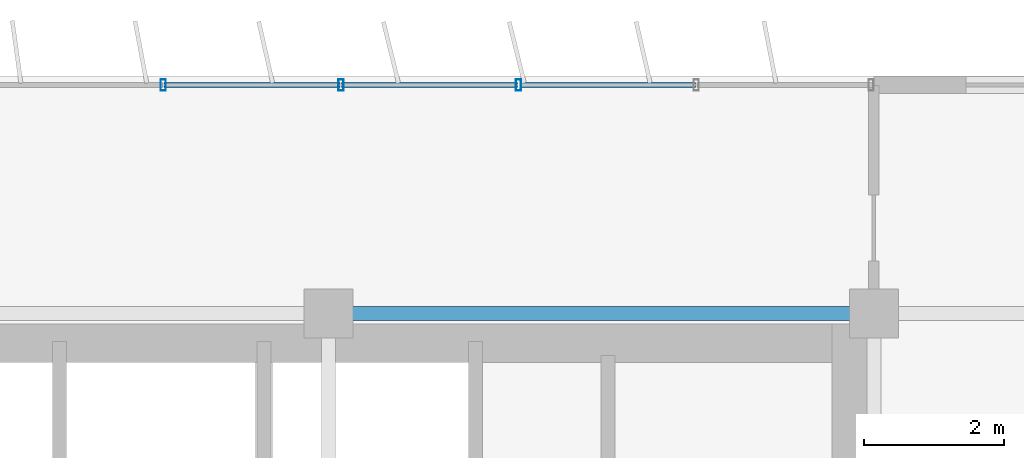
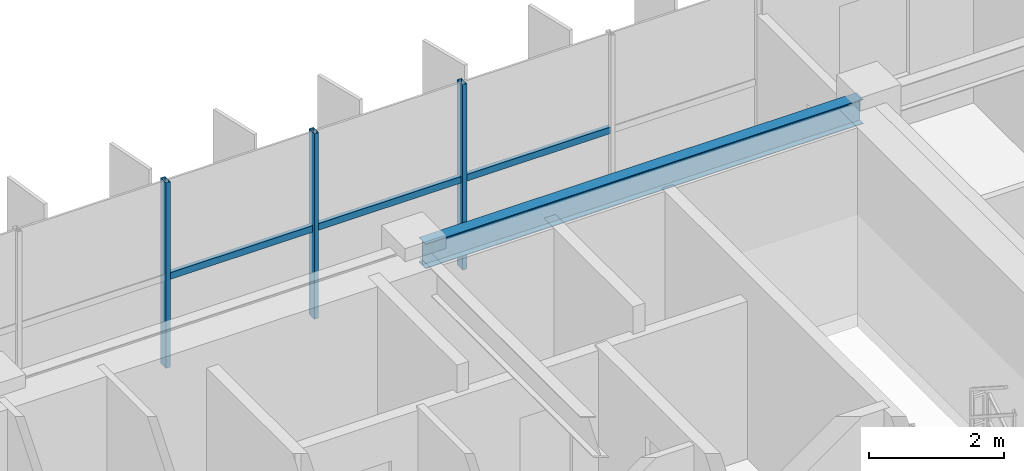
# One storey, part 12 of 23: 6 members, 1 beam, 1 element without a shape of its own.
"""IFC4 building model written with IfcOpenShell, lengths in metres."""

from ifc_helpers import new_model, si_unit, direction, frame, origin, origin_2d, place, context, subcontext, project, spatial, hollow_rectangle, i_section, extrude, source, transform, mapped, material, material_profile, profile_set, type_object, element, aggregate, save


model = new_model("IFC4")

# Units and contexts
model_context = context("Model", 3, precision=1e-05, world=origin(), true_north=direction((0.0, 1.0)))
body_context = subcontext(model_context, "Body", "Model", "MODEL_VIEW")
ifc_project = project(units=[si_unit("LENGTHUNIT", "METRE"), si_unit("AREAUNIT", "SQUARE_METRE"), si_unit("VOLUMEUNIT", "CUBIC_METRE"), si_unit("PLANEANGLEUNIT", "RADIAN"), si_unit("MASSUNIT", "GRAM", prefix="KILO")], contexts=[model_context])

# Site, building, storey
site_placement = place(None, origin())
site = spatial("IfcSite", under=ifc_project, at=site_placement, CompositionType="ELEMENT")
building_placement = place(site_placement, origin())
building = spatial("IfcBuilding", under=site, at=building_placement, Name="Trelvane Seafront Commons", CompositionType="ELEMENT")
storey_placement = place(building_placement, frame((0.0, 0.0, 222.89990234375)))
storey = spatial("IfcBuildingStorey", under=building, at=storey_placement, Name="L58", CompositionType="ELEMENT", Elevation=222.89990234375)

# Beam
ifc_material_1 = material(Name="Steel SM355 (S355)", Category="steel")
ifc_material_profile_1 = material_profile(ifc_material_1, i_section(OverallWidth=0.199951171875, OverallDepth=0.449951171875, WebThickness=0.009033203125, FlangeThickness=0.013916015625, at=origin_2d()), Name="H-450x200x9x14")
ifc_profile_set_1 = profile_set([ifc_material_profile_1], Name="Steel SM355 (S355)")
beam_type = type_object("IfcBeamType", Name="STR-SPD-H450", PredefinedType="SPANDREL", material=ifc_profile_set_1)
shared_shape_1 = source(origin(), body_context, "Body", "SweptSolid", [
    extrude(i_section(OverallWidth=0.199951171875, OverallDepth=0.449951171875, WebThickness=0.009033203125, FlangeThickness=0.013916015625, at=origin_2d()), origin(), (0.0, 0.0, 1.0), 7.5),
])
beam_placement = place(storey_placement, frame((51.14990234375, 45.10009765625, 3.135009765625), z_axis=(1.0, 0.0, 0.0), x_axis=(0.0, 1.0, 0.0)))
element("IfcBeam", 1, at=beam_placement, inside=storey, type_object=beam_type, Name="L58 Primary Girder G-27", PredefinedType="SPANDREL", context=body_context, shape_type="MappedRepresentation", body=[
    mapped(shared_shape_1, transform((0.0, 0.0, 0.0), x_axis=(1.0, 0.0, 0.0), y_axis=(0.0, 1.0, 0.0), z_axis=(0.0, 0.0, 1.0), scale=1.0)),
])

# Curtain wall, members
ifc_material_2 = material(Name="Anodised pale-silver aluminium", Category="aluminium")
curtain_wall_type = type_object("IfcCurtainWallType", Name="ARCH-CW5-UPTOWER", PredefinedType="NOTDEFINED", material=ifc_material_2)
curtain_wall_placement = place(storey_placement, origin())
curtain_wall = element("IfcCurtainWall", 2, at=curtain_wall_placement, inside=storey, type_object=curtain_wall_type, Name="CW-L58-0101", PredefinedType="NOTDEFINED")
ifc_material_profile_2 = material_profile(ifc_material_2, hollow_rectangle(XDim=0.070068359375, YDim=0.1201171875, WallThickness=0.00390625, at=origin_2d()), Name="TRAN-70x120x4")
ifc_profile_set_2 = profile_set([ifc_material_profile_2], Name="Anodised pale-silver aluminium")
member_type_1 = type_object("IfcMemberType", Name="ARCH-CW-TRAN-120", PredefinedType="USERDEFINED", material=ifc_profile_set_2)
shared_shape_2 = source(origin(), body_context, "Body", "SweptSolid", [
    extrude(hollow_rectangle(XDim=0.070068359375, YDim=0.1201171875, WallThickness=0.00390625, at=origin_2d()), origin(), (0.0, 0.0, 1.0), 2.51708984375),
])
member_1_placement = place(storey_placement, frame((51.1884765625, 48.3701171875, 1.613037109375), z_axis=(1.0, 0.0, 0.0), x_axis=(0.0, 1.0, 0.0)))
member_1 = element("IfcMember", 3, at=member_1_placement, type_object=member_type_1, Name="CW-L58-0101-T14", ObjectType="TRANSOM", PredefinedType="USERDEFINED", context=body_context, shape_type="MappedRepresentation", body=[
    mapped(shared_shape_2, transform((0.0, 0.0, 0.0), x_axis=(1.0, 0.0, 0.0), y_axis=(0.0, 1.0, 0.0), z_axis=(0.0, 0.0, 1.0), scale=1.0)),
])
shared_shape_3 = source(origin(), body_context, "Body", "SweptSolid", [
    extrude(hollow_rectangle(XDim=0.070068359375, YDim=0.1201171875, WallThickness=0.00390625, at=origin_2d()), origin(), (0.0, 0.0, 1.0), 2.517333984375),
])
member_2_placement = place(storey_placement, frame((48.647216796875, 48.3701171875, 1.613037109375), z_axis=(1.0, 0.0, 0.0), x_axis=(0.0, 1.0, 0.0)))
member_2 = element("IfcMember", 4, at=member_2_placement, type_object=member_type_1, Name="CW-L58-0101-T13", ObjectType="TRANSOM", PredefinedType="USERDEFINED", context=body_context, shape_type="MappedRepresentation", body=[
    mapped(shared_shape_3, transform((0.0, 0.0, 0.0), x_axis=(1.0, 0.0, 0.0), y_axis=(0.0, 1.0, 0.0), z_axis=(0.0, 0.0, 1.0), scale=1.0)),
])
member_3_placement = place(storey_placement, frame((53.7294921875, 48.3701171875, 1.613037109375), z_axis=(1.0, 0.0, 0.0), x_axis=(0.0, 1.0, 0.0)))
member_3 = element("IfcMember", 5, at=member_3_placement, type_object=member_type_1, Name="CW-L58-0101-T15", ObjectType="TRANSOM", PredefinedType="USERDEFINED", context=body_context, shape_type="MappedRepresentation", body=[
    mapped(shared_shape_3, transform((0.0, 0.0, 0.0), x_axis=(1.0, 0.0, 0.0), y_axis=(0.0, 1.0, 0.0), z_axis=(0.0, 0.0, 1.0), scale=1.0)),
])
ifc_material_profile_3 = material_profile(ifc_material_2, hollow_rectangle(XDim=0.074951171875, YDim=0.159912109375, WallThickness=0.00390625, at=origin_2d()), Name="MULL-75x160x4")
ifc_profile_set_3 = profile_set([ifc_material_profile_3], Name="Anodised pale-silver aluminium")
member_type_2 = type_object("IfcMemberType", Name="ARCH-CW-MULL-160", PredefinedType="MULLION", material=ifc_profile_set_3)
shared_shape_4 = source(origin(), body_context, "Body", "SweptSolid", [
    extrude(hollow_rectangle(XDim=0.074951171875, YDim=0.159912109375, WallThickness=0.00390625, at=origin_2d()), origin(), (0.0, 0.0, 1.0), 3.360107421875),
])
member_4_placement = place(storey_placement, frame((48.63525390625, 48.3701171875, 0.0), z_axis=(0.0, 0.0, 1.0), x_axis=(1.0, 0.0, 0.0)))
member_4 = element("IfcMember", 6, at=member_4_placement, type_object=member_type_2, Name="CW-L58-0101-M13", PredefinedType="MULLION", context=body_context, shape_type="MappedRepresentation", body=[
    mapped(shared_shape_4, transform((0.0, 0.0, 0.0), x_axis=(1.0, 0.0, 0.0), y_axis=(0.0, 1.0, 0.0), z_axis=(0.0, 0.0, 1.0), scale=1.0)),
])
member_5_placement = place(storey_placement, frame((51.176513671875, 48.3701171875, 0.0), z_axis=(0.0, 0.0, 1.0), x_axis=(1.0, 0.0, 0.0)))
member_5 = element("IfcMember", 7, at=member_5_placement, type_object=member_type_2, Name="CW-L58-0101-M14", PredefinedType="MULLION", context=body_context, shape_type="MappedRepresentation", body=[
    mapped(shared_shape_4, transform((0.0, 0.0, 0.0), x_axis=(1.0, 0.0, 0.0), y_axis=(0.0, 1.0, 0.0), z_axis=(0.0, 0.0, 1.0), scale=1.0)),
])
member_6_placement = place(storey_placement, frame((53.717529296875, 48.3701171875, 0.0), z_axis=(0.0, 0.0, 1.0), x_axis=(1.0, 0.0, 0.0)))
member_6 = element("IfcMember", 8, at=member_6_placement, type_object=member_type_2, Name="CW-L58-0101-M15", PredefinedType="MULLION", context=body_context, shape_type="MappedRepresentation", body=[
    mapped(shared_shape_4, transform((0.0, 0.0, 0.0), x_axis=(1.0, 0.0, 0.0), y_axis=(0.0, 1.0, 0.0), z_axis=(0.0, 0.0, 1.0), scale=1.0)),
])
aggregate(curtain_wall, [member_4, member_5, member_6, member_2, member_1, member_3])

save(model, "model.ifc")
